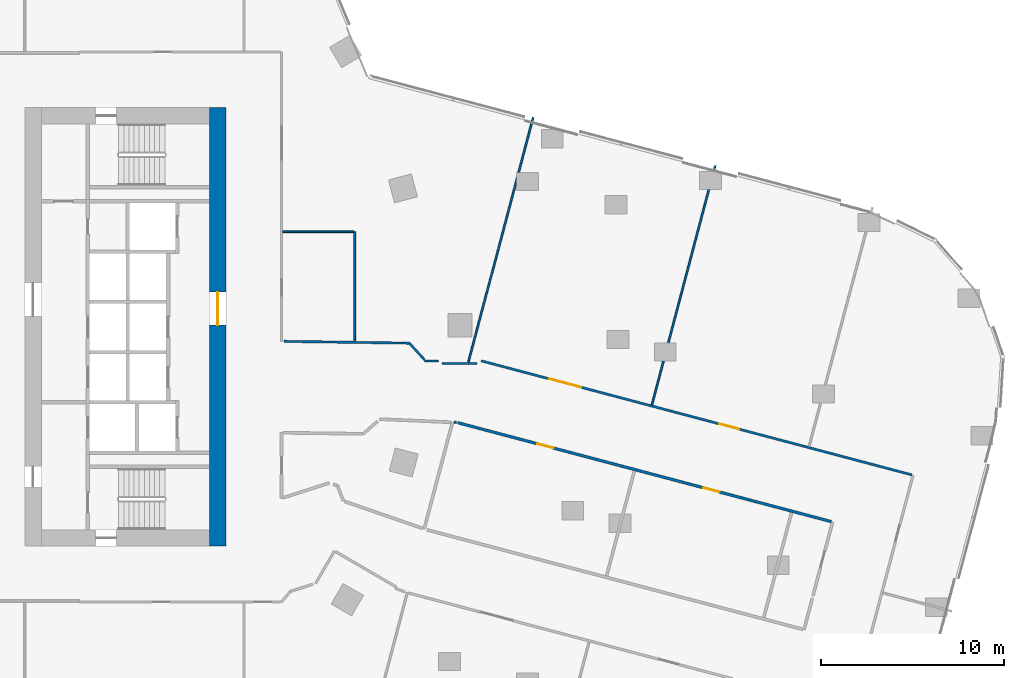
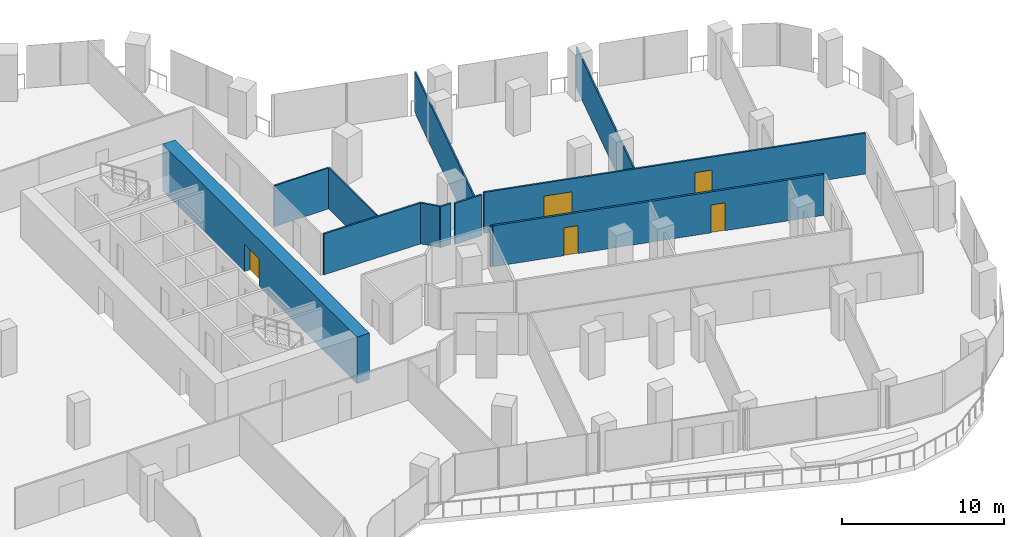
# One storey, part 26 of 34: 12 walls, 5 doors, 5 openings.
"""IFC4 building model written with IfcOpenShell, lengths in metres."""

from ifc_helpers import new_model, si_unit, direction, frame, frame_2d, origin, place, context, subcontext, project, spatial, rectangle, extrude, material, layer, layer_set, type_object, element, fill, save


model = new_model("IFC4")

# Units and contexts
model_context = context("Model", 3, precision=1e-05, world=origin(), true_north=direction((0.0, 1.0)))
body_context = subcontext(model_context, "Body", "Model", "MODEL_VIEW")
ifc_project = project(units=[si_unit("LENGTHUNIT", "METRE"), si_unit("AREAUNIT", "SQUARE_METRE"), si_unit("VOLUMEUNIT", "CUBIC_METRE"), si_unit("PLANEANGLEUNIT", "RADIAN"), si_unit("MASSUNIT", "GRAM", prefix="KILO")], contexts=[model_context])

# Site, building, storey
site_placement = place(None, origin())
site = spatial("IfcSite", under=ifc_project, at=site_placement, CompositionType="ELEMENT")
building_placement = place(site_placement, origin())
building = spatial("IfcBuilding", under=site, at=building_placement, Name="Orlundy Tower", CompositionType="ELEMENT")
storey_placement = place(building_placement, frame((0.0, 0.0, 102.199951171875)))
storey = spatial("IfcBuildingStorey", under=building, at=storey_placement, Name="L25", CompositionType="ELEMENT", Elevation=102.199951171875)

# Wall, opening, door
ifc_material_1 = material(Name="Concrete C80/95", Category="concrete")
ifc_layer_1 = layer(ifc_material_1, 0.89990234375)
ifc_layer_set_1 = layer_set([ifc_layer_1], Name="CORE WALL 900 C80/95")
wall_type_1 = type_object("IfcWallType", Name="CORE WALL 900 C80/95", PredefinedType="SHEAR", material=ifc_layer_set_1)
wall_1_placement = place(storey_placement, frame((18.550048828125, -12.0, 0.0), z_axis=(0.0, 0.0, 1.0), x_axis=(0.0, 1.0, 0.0)))
wall_1 = element("IfcWall", 1, at=wall_1_placement, inside=storey, type_object=wall_type_1, Name="Core wall E-E L25", PredefinedType="SHEAR", context=body_context, shape_type="SweptSolid", body=[
    extrude(rectangle(XDim=24.0, YDim=0.89990234375, at=frame_2d((12.0, 0.0))), origin(), (0.0, 0.0, 1.0), 3.5),
])
opening_1_placement = place(wall_1_placement, frame((12.10009765625, 0.0, 0.0)))
opening_1 = element("IfcOpeningElement", 2, at=opening_1_placement, cuts=wall_1, Name="Opening 20059", PredefinedType="OPENING", context=body_context, shape_type="SweptSolid", body=[
    extrude(rectangle(XDim=1.800048828125, YDim=2.10009765625, at=frame_2d((0.89990234375, 1.050048828125))), frame((0.0, 0.4599609375, 0.0), z_axis=(0.0, -1.0, 0.0), x_axis=(1.0, 0.0, 0.0)), (0.0, 0.0, 1.0), 0.919921875),
])
ifc_material_2 = material(Name="Timber door set", Category="wood")
door_type_1 = type_object("IfcDoorType", Name="Lobby Door 1800x2100", OperationType="DOUBLE_DOOR_DOUBLE_SWING", PredefinedType="DOOR", material=ifc_material_2)
door_1_placement = place(opening_1_placement, origin())
door_1 = element("IfcDoor", 3, at=door_1_placement, inside=storey, type_object=door_type_1, Name="Lift lobby door 20059", OperationType="SINGLE_SWING_RIGHT", OverallHeight=2.10009765625, OverallWidth=1.800048828125, PredefinedType="DOOR", context=body_context, shape_type="SweptSolid", body=[
    extrude(rectangle(XDim=1.800048828125, YDim=2.10009765625, at=frame_2d((0.89990234375, 1.050048828125))), frame((0.0, 0.02490234375, 0.0), z_axis=(0.0, -1.0, 0.0), x_axis=(1.0, 0.0, 0.0)), (0.0, 0.0, 1.0), 0.050048828125),
])
fill(opening_1, door_1)

# Walls
ifc_material_3 = material(Name="Gypsum board partition")
ifc_layer_2 = layer(ifc_material_3, 0.10009765625)
ifc_layer_set_2 = layer_set([ifc_layer_2], Name="Floor partition 100")
wall_type_2 = type_object("IfcWallType", Name="Floor partition 100", PredefinedType="PARTITIONING", material=ifc_layer_set_2)
wall_2_placement = place(storey_placement, frame((22.113037109375, 5.214111328125, 0.0), z_axis=(0.0, 0.0, 1.0), x_axis=(1.0, 0.0, 0.0)))
element("IfcWall", 4, at=wall_2_placement, inside=storey, type_object=wall_type_2, Name="wall-int-L25-046", PredefinedType="PARTITIONING", context=body_context, shape_type="SweptSolid", body=[
    extrude(rectangle(XDim=3.885986328125, YDim=0.10009765625, at=frame_2d((1.94287109375, 0.0))), origin(), (0.0, 0.0, 1.0), 3.080078125),
])
wall_3_placement = place(storey_placement, frame((42.319091796875, -4.262939453125, 0.0), z_axis=(0.0, 0.0, 1.0), x_axis=(0.255956011123, 0.966688429832, 0.0)))
element("IfcWall", 5, at=wall_3_placement, inside=storey, type_object=wall_type_2, Name="wall-int-L25-076", PredefinedType="PARTITIONING", context=body_context, shape_type="SweptSolid", body=[
    extrude(rectangle(XDim=13.536865234375, YDim=0.10009765625, at=frame_2d((6.7685546875, 0.0))), origin(), (0.0, 0.0, 1.0), 3.080078125),
])
wall_4_placement = place(storey_placement, frame((32.277099609375, -1.923095703125, 0.0), z_axis=(0.0, 0.0, 1.0), x_axis=(0.255967683611, 0.96668533916, 0.0)))
element("IfcWall", 6, at=wall_4_placement, inside=storey, type_object=wall_type_2, Name="wall-int-L25-079", PredefinedType="PARTITIONING", context=body_context, shape_type="SweptSolid", body=[
    extrude(rectangle(XDim=13.84521484375, YDim=0.10009765625, at=frame_2d((6.922607421875, 0.0))), origin(), (0.0, 0.0, 1.0), 3.080078125),
])
wall_5_placement = place(storey_placement, frame((26.050048828125, -0.72509765625, 0.0), z_axis=(0.0, 0.0, 1.0), x_axis=(0.0, 1.0, 0.0)))
element("IfcWall", 7, at=wall_5_placement, inside=storey, type_object=wall_type_2, Name="wall-int-L25-084", PredefinedType="PARTITIONING", context=body_context, shape_type="SweptSolid", body=[
    extrude(rectangle(XDim=5.93798828125, YDim=0.10009765625, at=frame_2d((2.968994140625, 0.0))), origin(), (0.0, 0.0, 1.0), 3.080078125),
])
ifc_material_4 = material(Name="Gypsum board partition, double layer")
ifc_layer_3 = layer(ifc_material_4, 0.125)
ifc_layer_set_3 = layer_set([ifc_layer_3], Name="Floor partition 125")
wall_type_3 = type_object("IfcWallType", Name="Floor partition 125", PredefinedType="PARTITIONING", material=ifc_layer_set_3)
wall_6_placement = place(storey_placement, frame((29.87890625, -1.800048828125, 0.0), z_axis=(0.0, 0.0, 1.0), x_axis=(-0.673036517664, 0.739609252167, 0.0)))
element("IfcWall", 8, at=wall_6_placement, inside=storey, type_object=wall_type_3, Name="wall-int-L25-001", PredefinedType="PARTITIONING", context=body_context, shape_type="SweptSolid", body=[
    extrude(rectangle(XDim=1.23583984375, YDim=0.125, at=frame_2d((0.617919921875, 0.0))), origin(), (0.0, 0.0, 1.0), 3.080078125),
])

# Wall, openings, doors
wall_7_placement = place(storey_placement, frame((32.97607421875, -1.85302734375, 0.0), z_axis=(0.0, 0.0, 1.0), x_axis=(0.966679949131, -0.255988038682, 0.0)))
wall_7 = element("IfcWall", 9, at=wall_7_placement, inside=storey, type_object=wall_type_3, Name="wall-int-L25-031", PredefinedType="PARTITIONING", context=body_context, shape_type="SweptSolid", body=[
    extrude(rectangle(XDim=24.387451171875, YDim=0.125, at=frame_2d((12.19384765625, 0.0))), origin(), (0.0, 0.0, 1.0), 3.080078125),
])
opening_2_placement = place(wall_7_placement, frame((3.85009765625, 0.0, 0.0)))
opening_2 = element("IfcOpeningElement", 10, at=opening_2_placement, cuts=wall_7, Name="Opening 20101", PredefinedType="OPENING", context=body_context, shape_type="SweptSolid", body=[
    extrude(rectangle(XDim=1.800048828125, YDim=2.10009765625, at=frame_2d((0.89990234375, 1.050048828125))), frame((0.0, 0.072509765625, 0.0), z_axis=(0.0, -1.0, 0.0), x_axis=(1.0, 0.0, 0.0)), (0.0, 0.0, 1.0), 0.14501953125),
])
opening_3_placement = place(wall_7_placement, frame((13.49853515625, 0.0, 0.0)))
opening_3 = element("IfcOpeningElement", 11, at=opening_3_placement, cuts=wall_7, Name="Opening 20102", PredefinedType="OPENING", context=body_context, shape_type="SweptSolid", body=[
    extrude(rectangle(XDim=1.10009765625, YDim=2.10009765625, at=frame_2d((0.550048828125, 1.050048828125))), frame((0.0, 0.072509765625, 0.0), z_axis=(0.0, -1.0, 0.0), x_axis=(1.0, 0.0, 0.0)), (0.0, 0.0, 1.0), 0.14501953125),
])
ifc_material_5 = material(Name="Timber door leaf", Category="wood")
door_type_2 = type_object("IfcDoorType", Name="Floor door double 1800 FD30S", OperationType="NOTDEFINED", PredefinedType="DOOR", material=ifc_material_5)
door_2_placement = place(opening_2_placement, origin())
door_2 = element("IfcDoor", 12, at=door_2_placement, inside=storey, type_object=door_type_2, Name="Door 20101", OperationType="DOUBLE_DOOR_SINGLE_SWING", OverallHeight=2.10009765625, OverallWidth=1.800048828125, PredefinedType="DOOR", context=body_context, shape_type="SweptSolid", body=[
    extrude(rectangle(XDim=1.800048828125, YDim=2.10009765625, at=frame_2d((0.89990234375, 1.050048828125))), frame((0.0, 0.02490234375, 0.0), z_axis=(0.0, -1.0, 0.0), x_axis=(1.0, 0.0, 0.0)), (0.0, 0.0, 1.0), 0.050048828125),
])
fill(opening_2, door_2)
ifc_material_6 = material(Name="Timber door leaf", Category="wood")
door_type_3 = type_object("IfcDoorType", Name="Floor door xwide 1100 FD30S", OperationType="NOTDEFINED", PredefinedType="DOOR", material=ifc_material_6)
door_3_placement = place(opening_3_placement, origin())
door_3 = element("IfcDoor", 13, at=door_3_placement, inside=storey, type_object=door_type_3, Name="Door 20102", OperationType="SINGLE_SWING_RIGHT", OverallHeight=2.10009765625, OverallWidth=1.10009765625, PredefinedType="DOOR", context=body_context, shape_type="SweptSolid", body=[
    extrude(rectangle(XDim=1.10009765625, YDim=2.10009765625, at=frame_2d((0.550048828125, 1.050048828125))), frame((0.0, 0.02490234375, 0.0), z_axis=(0.0, -1.0, 0.0), x_axis=(1.0, 0.0, 0.0)), (0.0, 0.0, 1.0), 0.050048828125),
])
fill(opening_3, door_3)

# Walls
wall_8_placement = place(storey_placement, frame((31.4970703125, -5.219970703125, 0.0), z_axis=(0.0, 0.0, 1.0), x_axis=(0.999895375943, -0.014465032563, 0.0)))
element("IfcWall", 14, at=wall_8_placement, inside=storey, type_object=wall_type_3, Name="wall-int-L25-036", PredefinedType="PARTITIONING", context=body_context, shape_type="SweptSolid", body=[
    extrude(rectangle(XDim=0.135009765625, YDim=0.125, at=frame_2d((0.0673828125, 0.0))), origin(), (0.0, 0.0, 1.0), 3.080078125),
])
wall_9_placement = place(storey_placement, frame((22.18408203125, -0.787109375, 0.0), z_axis=(0.0, 0.0, 1.0), x_axis=(0.999896232857, -0.014405676579, 0.0)))
element("IfcWall", 15, at=wall_9_placement, inside=storey, type_object=wall_type_3, Name="wall-int-L25-037", PredefinedType="PARTITIONING", context=body_context, shape_type="SweptSolid", body=[
    extrude(rectangle(XDim=6.86376953125, YDim=0.125, at=frame_2d((3.431884765625, 0.0))), origin(), (0.0, 0.0, 1.0), 3.080078125),
])
wall_10_placement = place(storey_placement, frame((30.819091796875, -1.998046875, 0.0), z_axis=(0.0, 0.0, 1.0), x_axis=(1.0, 0.0, 0.0)))
element("IfcWall", 16, at=wall_10_placement, inside=storey, type_object=wall_type_3, Name="wall-int-L25-044", PredefinedType="PARTITIONING", context=body_context, shape_type="SweptSolid", body=[
    extrude(rectangle(XDim=1.9189453125, YDim=0.125, at=frame_2d((0.95947265625, 0.0))), origin(), (0.0, 0.0, 1.0), 3.080078125),
])
wall_11_placement = place(storey_placement, frame((29.8779296875, -1.862060546875, 0.0), z_axis=(0.0, 0.0, 1.0), x_axis=(0.999996689403, 0.002573166135, 0.0)))
element("IfcWall", 17, at=wall_11_placement, inside=storey, type_object=wall_type_3, Name="wall-int-L25-050", PredefinedType="PARTITIONING", context=body_context, shape_type="SweptSolid", body=[
    extrude(rectangle(XDim=0.759033203125, YDim=0.125, at=frame_2d((0.37939453125, 0.0))), origin(), (0.0, 0.0, 1.0), 3.080078125),
])

# Wall, openings, doors
ifc_material_7 = material(Name="Blockwork shaft wall", Category="masonry")
ifc_layer_4 = layer(ifc_material_7, 0.14990234375)
ifc_layer_set_4 = layer_set([ifc_layer_4], Name="Floor shaft wall 150")
wall_type_4 = type_object("IfcWallType", Name="Floor shaft wall 150", PredefinedType="PARTITIONING", material=ifc_layer_set_4)
wall_12_placement = place(storey_placement, frame((52.134033203125, -10.652099609375, 0.0), z_axis=(0.0, 0.0, 1.0), x_axis=(-0.966671200414, 0.25602107392, 0.0)))
wall_12 = element("IfcWall", 18, at=wall_12_placement, inside=storey, type_object=wall_type_4, Name="wall-int-L25-030", PredefinedType="PARTITIONING", context=body_context, shape_type="SweptSolid", body=[
    extrude(rectangle(XDim=21.14697265625, YDim=0.14990234375, at=frame_2d((10.573486328125, 0.0))), origin(), (0.0, 0.0, 1.0), 3.080078125),
])
opening_4_placement = place(wall_12_placement, frame((15.72412109375, 0.0, 0.0)))
opening_4 = element("IfcOpeningElement", 19, at=opening_4_placement, cuts=wall_12, Name="Opening 20103", PredefinedType="OPENING", context=body_context, shape_type="SweptSolid", body=[
    extrude(rectangle(XDim=0.89990234375, YDim=2.10009765625, at=frame_2d((0.449951171875, 1.050048828125))), frame((0.0, 0.0849609375, 0.0), z_axis=(0.0, -1.0, 0.0), x_axis=(1.0, 0.0, 0.0)), (0.0, 0.0, 1.0), 0.169921875),
])
opening_5_placement = place(wall_12_placement, frame((6.324462890625, 0.0, 0.0)))
opening_5 = element("IfcOpeningElement", 20, at=opening_5_placement, cuts=wall_12, Name="Opening 20104", PredefinedType="OPENING", context=body_context, shape_type="SweptSolid", body=[
    extrude(rectangle(XDim=0.89990234375, YDim=2.10009765625, at=frame_2d((0.449951171875, 1.050048828125))), frame((0.0, 0.0849609375, 0.0), z_axis=(0.0, -1.0, 0.0), x_axis=(1.0, 0.0, 0.0)), (0.0, 0.0, 1.0), 0.169921875),
])
ifc_material_8 = material(Name="Timber door leaf", Category="wood")
door_type_4 = type_object("IfcDoorType", Name="Floor door single 900 FD60", OperationType="NOTDEFINED", PredefinedType="DOOR", material=ifc_material_8)
door_4_placement = place(opening_4_placement, origin())
door_4 = element("IfcDoor", 21, at=door_4_placement, inside=storey, type_object=door_type_4, Name="Door 20103", OperationType="SINGLE_SWING_RIGHT", OverallHeight=2.10009765625, OverallWidth=0.89990234375, PredefinedType="DOOR", context=body_context, shape_type="SweptSolid", body=[
    extrude(rectangle(XDim=0.89990234375, YDim=2.10009765625, at=frame_2d((0.449951171875, 1.050048828125))), frame((0.0, 0.02490234375, 0.0), z_axis=(0.0, -1.0, 0.0), x_axis=(1.0, 0.0, 0.0)), (0.0, 0.0, 1.0), 0.050048828125),
])
fill(opening_4, door_4)
door_5_placement = place(opening_5_placement, origin())
door_5 = element("IfcDoor", 22, at=door_5_placement, inside=storey, type_object=door_type_4, Name="Door 20104", OperationType="SINGLE_SWING_LEFT", OverallHeight=2.10009765625, OverallWidth=0.89990234375, PredefinedType="DOOR", context=body_context, shape_type="SweptSolid", body=[
    extrude(rectangle(XDim=0.89990234375, YDim=2.10009765625, at=frame_2d((0.449951171875, 1.050048828125))), frame((0.0, 0.02490234375, 0.0), z_axis=(0.0, -1.0, 0.0), x_axis=(1.0, 0.0, 0.0)), (0.0, 0.0, 1.0), 0.050048828125),
])
fill(opening_5, door_5)

save(model, "model.ifc")
